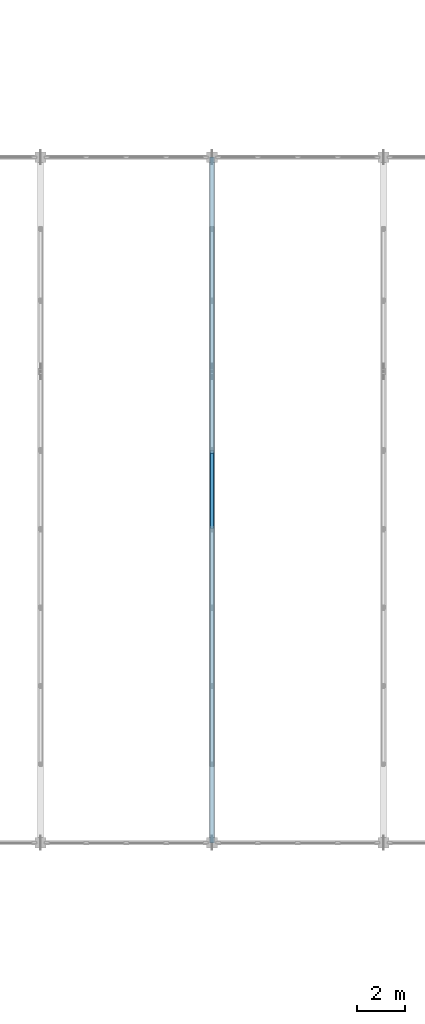
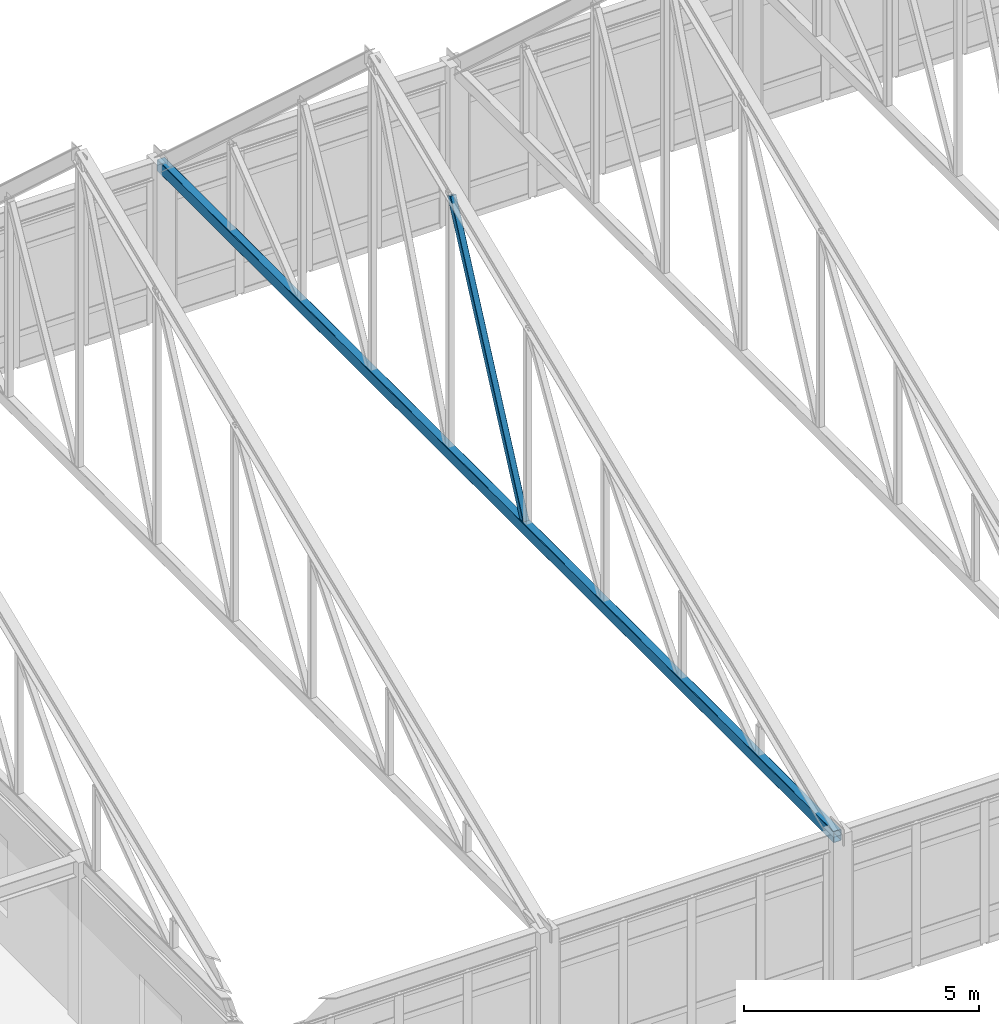
# One storey, part 24 of 136: 2 members.
"""IFC4 building model written with IfcOpenShell, lengths in metres."""

from ifc_helpers import new_model, si_unit, direction, frame, origin, origin_2d, place, context, subcontext, project, spatial, hollow_rectangle, extrude, material, material_profile, profile_set, type_object, element, save


model = new_model("IFC4")

# Units and contexts
model_context = context("Model", 3, precision=1e-05, world=origin(), true_north=direction((0.0, 1.0)))
body_context = subcontext(model_context, "Body", "Model", "MODEL_VIEW")
ifc_project = project(units=[si_unit("LENGTHUNIT", "METRE"), si_unit("AREAUNIT", "SQUARE_METRE"), si_unit("VOLUMEUNIT", "CUBIC_METRE"), si_unit("PLANEANGLEUNIT", "RADIAN"), si_unit("MASSUNIT", "GRAM", prefix="KILO")], contexts=[model_context])

# Site, building, storey
site_placement = place(None, origin())
site = spatial("IfcSite", under=ifc_project, at=site_placement, CompositionType="ELEMENT")
building_placement = place(site_placement, origin())
building = spatial("IfcBuilding", under=site, at=building_placement, Name="Koriwan Promenade Central Fire Station", CompositionType="ELEMENT")
storey_placement = place(building_placement, frame((0.0, 0.0, 5.39990234375)))
storey = spatial("IfcBuildingStorey", under=building, at=storey_placement, Name="L01", CompositionType="ELEMENT", Elevation=5.39990234375)

# Members
ifc_material = material(Name="Steel ASTM A500 Grade C", Category="steel")
ifc_material_profile_1 = material_profile(ifc_material, hollow_rectangle(XDim=0.199951171875, YDim=0.300048828125, WallThickness=0.011962890625, InnerFilletRadius=0.011962890625, OuterFilletRadius=0.02392578125, at=origin_2d()), Name="HSS300x200x12")
ifc_profile_set_1 = profile_set([ifc_material_profile_1], Name="Steel ASTM A500 Grade C")
member_type_1 = type_object("IfcMemberType", Name="Member_CHORD_HSS300x200x12", PredefinedType="CHORD", material=ifc_profile_set_1)
member_1_placement = place(storey_placement, frame((79.199951171875, 43.199951171875, 4.02001953125), z_axis=(0.0, 1.0, 0.0), x_axis=(-1.0, 0.0, 0.0)))
element("IfcMember", 1, at=member_1_placement, inside=storey, type_object=member_type_1, Name="TR_V1_04 bottom tie chord", PredefinedType="CHORD", context=body_context, shape_type="SweptSolid", body=[
    extrude(hollow_rectangle(XDim=0.199951171875, YDim=0.300048828125, WallThickness=0.011962890625, InnerFilletRadius=0.011962890625, OuterFilletRadius=0.02392578125, at=origin_2d()), origin(), (0.0, 0.0, 1.0), 28.800048828125),
])
ifc_material_profile_2 = material_profile(ifc_material, hollow_rectangle(XDim=0.14990234375, YDim=0.14990234375, WallThickness=0.008056640625, InnerFilletRadius=0.008056640625, OuterFilletRadius=0.01611328125, at=origin_2d()), Name="HSS150x150x8")
ifc_profile_set_2 = profile_set([ifc_material_profile_2], Name="Steel ASTM A500 Grade C")
member_type_2 = type_object("IfcMemberType", Name="Member_STRUT_HSS150x150x8", PredefinedType="STRUT", material=ifc_profile_set_2)
member_2_placement = place(storey_placement, frame((79.199951171875, 56.47998046875, 4.070068359375), z_axis=(0.0, 0.426803552064, 0.904344363583), x_axis=(-1.0, 0.0, 0.0)))
element("IfcMember", 2, at=member_2_placement, inside=storey, type_object=member_type_2, Name="TR_V1_04 web diagonal 5", PredefinedType="STRUT", context=body_context, shape_type="SweptSolid", body=[
    extrude(hollow_rectangle(XDim=0.14990234375, YDim=0.14990234375, WallThickness=0.008056640625, InnerFilletRadius=0.008056640625, OuterFilletRadius=0.01611328125, at=origin_2d()), origin(), (0.0, 0.0, 1.0), 7.357421875),
])

save(model, "model.ifc")
